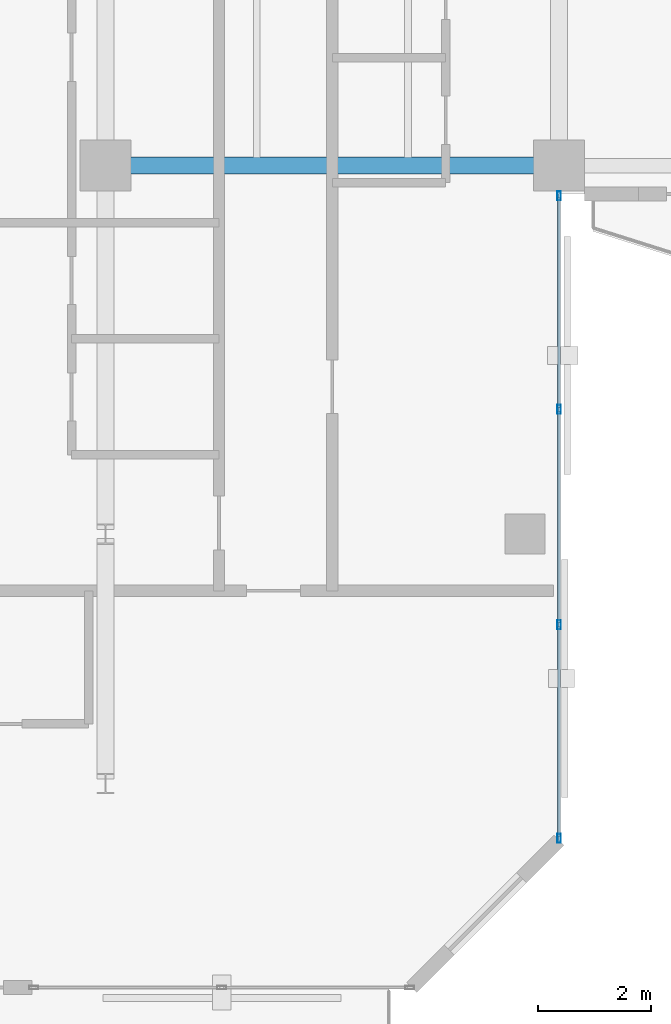
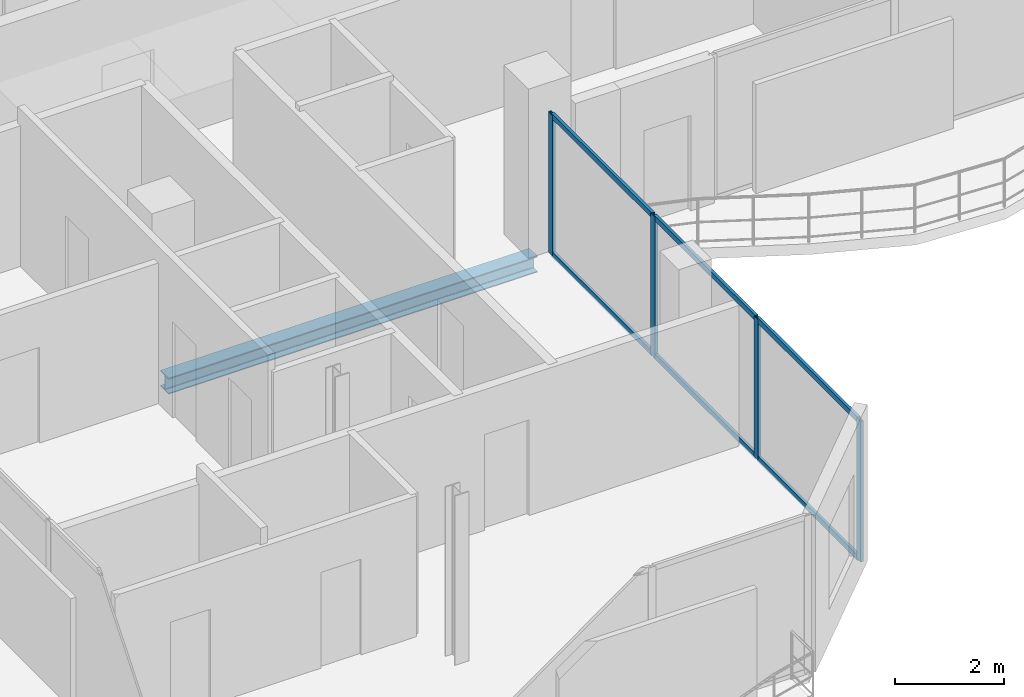
# One storey, part 4 of 17: 10 members, 1 beam, 1 element without a shape of its own.
"""IFC4 building model written with IfcOpenShell, lengths in metres."""

from ifc_helpers import new_model, si_unit, direction, frame, origin, origin_2d, place, context, subcontext, project, spatial, hollow_rectangle, i_section, extrude, material, layer, layer_set, material_profile, profile_set, type_object, element, aggregate, save


model = new_model("IFC4")

# Units and contexts
model_context = context("Model", 3, precision=1e-05, world=origin(), true_north=direction((0.0, 1.0)))
body_context = subcontext(model_context, "Body", "Model", "MODEL_VIEW")
ifc_project = project(units=[si_unit("LENGTHUNIT", "METRE"), si_unit("AREAUNIT", "SQUARE_METRE"), si_unit("VOLUMEUNIT", "CUBIC_METRE"), si_unit("PLANEANGLEUNIT", "RADIAN"), si_unit("MASSUNIT", "GRAM", prefix="KILO")], contexts=[model_context])

# Site, building, storey
site_placement = place(None, origin())
site = spatial("IfcSite", under=ifc_project, at=site_placement, CompositionType="ELEMENT")
building_placement = place(site_placement, origin())
building = spatial("IfcBuilding", under=site, at=building_placement, Name="Catumbela Crestline Tower", CompositionType="ELEMENT")
storey_placement = place(building_placement, frame((0.0, 0.0, 267.8)))
storey = spatial("IfcBuildingStorey", under=building, at=storey_placement, Name="L69", CompositionType="ELEMENT", Elevation=267.8)

# Beam
ifc_material_1 = material(Name="Structural steel S355J2", Category="steel")
ifc_material_profile_1 = material_profile(ifc_material_1, i_section(OverallWidth=0.3, OverallDepth=0.36, WebThickness=0.0125, FlangeThickness=0.0225, FilletRadius=0.027, at=origin_2d()), Name="HEB 360")
ifc_profile_set_1 = profile_set([ifc_material_profile_1], Name="Structural steel S355J2")
beam_type = type_object("IfcBeamType", Name="BG-HEB360", PredefinedType="BEAM", material=ifc_profile_set_1)
beam_placement = place(storey_placement, frame((16.08, 24.5, -0.44), z_axis=(1.0, 0.0, 0.0), x_axis=(0.0, 1.0, 0.0)))
element("IfcBeam", 1, at=beam_placement, inside=storey, type_object=beam_type, Name="L69 Beam BM-L69-S01", PredefinedType="BEAM", context=body_context, shape_type="SweptSolid", body=[
    extrude(i_section(OverallWidth=0.3, OverallDepth=0.36, WebThickness=0.0125, FlangeThickness=0.0225, FilletRadius=0.027, at=origin_2d()), origin(), (0.0, 0.0, 1.0), 7.84),
])

# Curtain wall, members
ifc_material_2 = material(Name="Aluminium alloy AW-6060-T66", Category="aluminium")
ifc_layer = layer(ifc_material_2, 0.18, Name="Aluminium alloy AW-6060-T66")
ifc_layer_set = layer_set([ifc_layer], Name="Aluminium alloy AW-6060-T66")
curtain_wall_type = type_object("IfcCurtainWallType", Name="CWU-Z4", PredefinedType="USERDEFINED", material=ifc_layer_set)
curtain_wall_placement = place(storey_placement, origin())
curtain_wall = element("IfcCurtainWall", 2, at=curtain_wall_placement, inside=storey, type_object=curtain_wall_type, Name="L69 Unitised Curtain Wall CW-L69-E2S1", ObjectType="UNITISED", PredefinedType="USERDEFINED")
ifc_material_profile_2 = material_profile(ifc_material_2, hollow_rectangle(XDim=0.06, YDim=0.16, WallThickness=0.004, at=origin_2d()), Name="ALU 160x60x4")
ifc_profile_set_2 = profile_set([ifc_material_profile_2], Name="Aluminium alloy AW-6060-T66")
member_type_1 = type_object("IfcMemberType", Name="MUL-160X60", PredefinedType="MULLION", material=ifc_profile_set_2)
member_1_placement = place(storey_placement, frame((24.0, 12.6325, 0.0), z_axis=(0.0, 0.0, 1.0), x_axis=(-1.0, 0.0, 0.0)))
member_1 = element("IfcMember", 3, at=member_1_placement, type_object=member_type_1, Name="CWU-Z4 mullion 1", PredefinedType="MULLION", context=body_context, shape_type="SweptSolid", body=[
    extrude(hollow_rectangle(XDim=0.06, YDim=0.16, WallThickness=0.004, at=origin_2d()), origin(), (0.0, 0.0, 1.0), 3.16),
])
member_2_placement = place(storey_placement, frame((24.0, 16.4, 0.0), z_axis=(0.0, 0.0, 1.0), x_axis=(-1.0, 0.0, 0.0)))
member_2 = element("IfcMember", 4, at=member_2_placement, type_object=member_type_1, Name="CWU-Z4 mullion 2", PredefinedType="MULLION", context=body_context, shape_type="SweptSolid", body=[
    extrude(hollow_rectangle(XDim=0.06, YDim=0.16, WallThickness=0.004, at=origin_2d()), origin(), (0.0, 0.0, 1.0), 3.16),
])
member_3_placement = place(storey_placement, frame((24.0, 20.2, 0.0), z_axis=(0.0, 0.0, 1.0), x_axis=(-1.0, 0.0, 0.0)))
member_3 = element("IfcMember", 5, at=member_3_placement, type_object=member_type_1, Name="CWU-Z4 mullion 3", PredefinedType="MULLION", context=body_context, shape_type="SweptSolid", body=[
    extrude(hollow_rectangle(XDim=0.06, YDim=0.16, WallThickness=0.004, at=origin_2d()), origin(), (0.0, 0.0, 1.0), 3.16),
])
member_4_placement = place(storey_placement, frame((24.0, 23.9675, 0.0), z_axis=(0.0, 0.0, 1.0), x_axis=(-1.0, 0.0, 0.0)))
member_4 = element("IfcMember", 6, at=member_4_placement, type_object=member_type_1, Name="CWU-Z4 mullion 4", PredefinedType="MULLION", context=body_context, shape_type="SweptSolid", body=[
    extrude(hollow_rectangle(XDim=0.06, YDim=0.16, WallThickness=0.004, at=origin_2d()), origin(), (0.0, 0.0, 1.0), 3.16),
])
ifc_material_profile_3 = material_profile(ifc_material_2, hollow_rectangle(XDim=0.06, YDim=0.12, WallThickness=0.0035, at=origin_2d()), Name="ALU 120x60x3.5")
ifc_profile_set_3 = profile_set([ifc_material_profile_3], Name="Aluminium alloy AW-6060-T66")
member_type_2 = type_object("IfcMemberType", Name="TRN-120X60", PredefinedType="USERDEFINED", material=ifc_profile_set_3)
member_5_placement = place(storey_placement, frame((24.0, 12.665, 0.03), z_axis=(0.0, 1.0, 0.0), x_axis=(-1.0, 0.0, 0.0)))
member_5 = element("IfcMember", 7, at=member_5_placement, type_object=member_type_2, Name="CWU-Z4 transom 1.1", ObjectType="TRANSOM", PredefinedType="USERDEFINED", context=body_context, shape_type="SweptSolid", body=[
    extrude(hollow_rectangle(XDim=0.06, YDim=0.12, WallThickness=0.0035, at=origin_2d()), origin(), (0.0, 0.0, 1.0), 3.7025),
])
member_6_placement = place(storey_placement, frame((24.0, 12.665, 3.13), z_axis=(0.0, 1.0, 0.0), x_axis=(-1.0, 0.0, 0.0)))
member_6 = element("IfcMember", 8, at=member_6_placement, type_object=member_type_2, Name="CWU-Z4 transom 1.2", ObjectType="TRANSOM", PredefinedType="USERDEFINED", context=body_context, shape_type="SweptSolid", body=[
    extrude(hollow_rectangle(XDim=0.06, YDim=0.12, WallThickness=0.0035, at=origin_2d()), origin(), (0.0, 0.0, 1.0), 3.7025),
])
member_7_placement = place(storey_placement, frame((24.0, 16.4325, 0.03), z_axis=(0.0, 1.0, 0.0), x_axis=(-1.0, 0.0, 0.0)))
member_7 = element("IfcMember", 9, at=member_7_placement, type_object=member_type_2, Name="CWU-Z4 transom 2.1", ObjectType="TRANSOM", PredefinedType="USERDEFINED", context=body_context, shape_type="SweptSolid", body=[
    extrude(hollow_rectangle(XDim=0.06, YDim=0.12, WallThickness=0.0035, at=origin_2d()), origin(), (0.0, 0.0, 1.0), 3.735),
])
member_8_placement = place(storey_placement, frame((24.0, 16.4325, 3.13), z_axis=(0.0, 1.0, 0.0), x_axis=(-1.0, 0.0, 0.0)))
member_8 = element("IfcMember", 10, at=member_8_placement, type_object=member_type_2, Name="CWU-Z4 transom 2.2", ObjectType="TRANSOM", PredefinedType="USERDEFINED", context=body_context, shape_type="SweptSolid", body=[
    extrude(hollow_rectangle(XDim=0.06, YDim=0.12, WallThickness=0.0035, at=origin_2d()), origin(), (0.0, 0.0, 1.0), 3.735),
])
member_9_placement = place(storey_placement, frame((24.0, 20.2325, 0.03), z_axis=(0.0, 1.0, 0.0), x_axis=(-1.0, 0.0, 0.0)))
member_9 = element("IfcMember", 11, at=member_9_placement, type_object=member_type_2, Name="CWU-Z4 transom 3.1", ObjectType="TRANSOM", PredefinedType="USERDEFINED", context=body_context, shape_type="SweptSolid", body=[
    extrude(hollow_rectangle(XDim=0.06, YDim=0.12, WallThickness=0.0035, at=origin_2d()), origin(), (0.0, 0.0, 1.0), 3.7025),
])
member_10_placement = place(storey_placement, frame((24.0, 20.2325, 3.13), z_axis=(0.0, 1.0, 0.0), x_axis=(-1.0, 0.0, 0.0)))
member_10 = element("IfcMember", 12, at=member_10_placement, type_object=member_type_2, Name="CWU-Z4 transom 3.2", ObjectType="TRANSOM", PredefinedType="USERDEFINED", context=body_context, shape_type="SweptSolid", body=[
    extrude(hollow_rectangle(XDim=0.06, YDim=0.12, WallThickness=0.0035, at=origin_2d()), origin(), (0.0, 0.0, 1.0), 3.7025),
])
aggregate(curtain_wall, [member_1, member_2, member_3, member_4, member_5, member_6, member_7, member_8, member_9, member_10])

save(model, "model.ifc")
